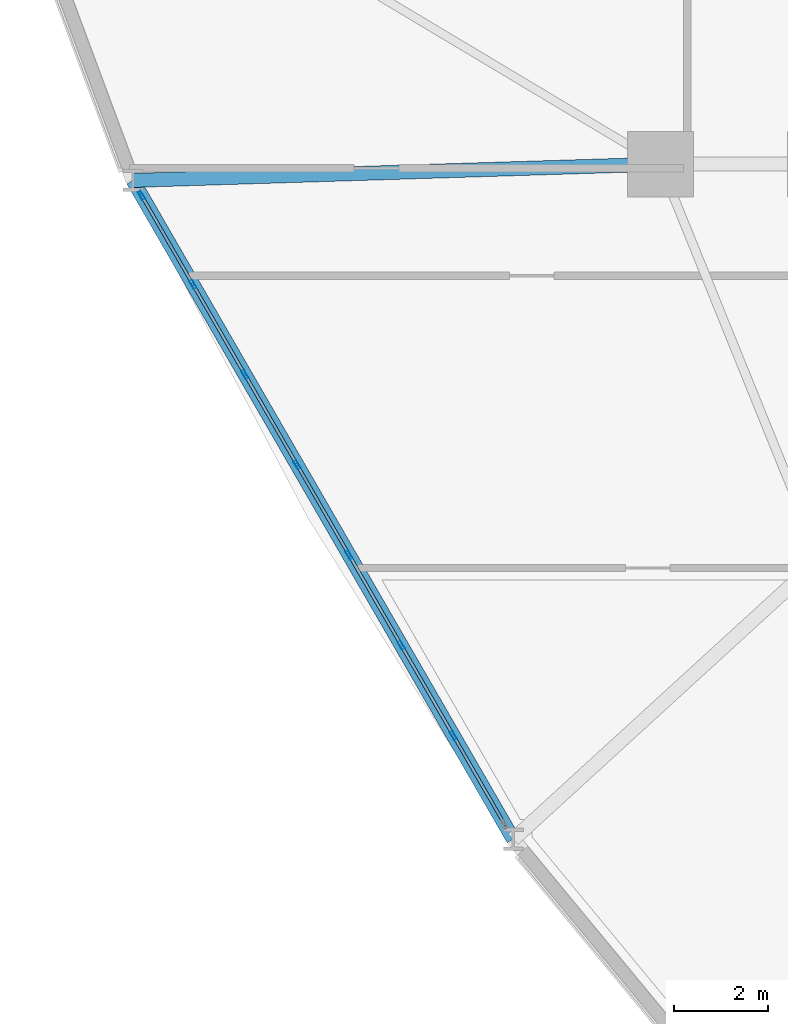
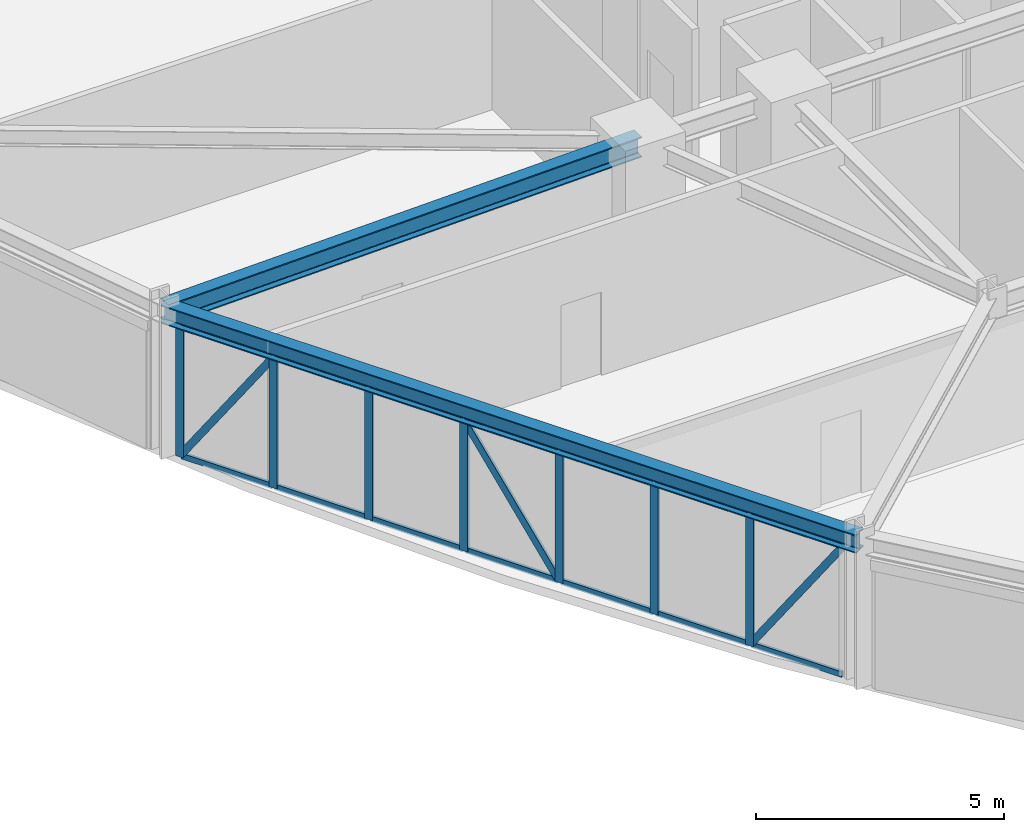
# One storey, part 4 of 21: 24 members, 2 beams, 1 element without a shape of its own.
"""IFC4 building model written with IfcOpenShell, lengths in metres."""

from ifc_helpers import new_model, si_unit, derived_unit, direction, frame, origin, origin_2d, place, context, subcontext, project, spatial, hollow_rectangle, i_section, extrude, source, transform, mapped, material, layer, layer_set, material_profile, profile_set, type_object, element, aggregate, save


model = new_model("IFC4")

# Units and contexts
model_context = context("Model", 3, precision=1e-05, world=origin(), true_north=direction((0.0, 1.0)))
body_context = subcontext(model_context, "Body", "Model", "MODEL_VIEW")
ifc_project = project(units=[si_unit("LENGTHUNIT", "METRE"), si_unit("AREAUNIT", "SQUARE_METRE"), si_unit("VOLUMEUNIT", "CUBIC_METRE"), si_unit("PLANEANGLEUNIT", "RADIAN"), si_unit("MASSUNIT", "GRAM", prefix="KILO"), derived_unit("THERMALTRANSMITTANCEUNIT", [(si_unit("POWERUNIT", "WATT"), 1), (si_unit("LENGTHUNIT", "METRE"), -2), (si_unit("THERMODYNAMICTEMPERATUREUNIT", "KELVIN"), -1)])], contexts=[model_context])

# Site, building, storey
site_placement = place(None, origin())
site = spatial("IfcSite", under=ifc_project, at=site_placement, CompositionType="ELEMENT")
building_placement = place(site_placement, origin())
building = spatial("IfcBuilding", under=site, at=building_placement, Name="Korsvarv Bourse and Concert Hall", CompositionType="ELEMENT")
storey_placement = place(building_placement, frame((0.0, 0.0, 27.89990234375)))
storey = spatial("IfcBuildingStorey", under=building, at=storey_placement, Name="L06", CompositionType="ELEMENT", Elevation=27.89990234375)

# Beams
ifc_material_1 = material(Name="Steel S355", Category="steel")
ifc_material_profile_1 = material_profile(ifc_material_1, i_section(OverallWidth=0.300048828125, OverallDepth=0.449951171875, WebThickness=0.013916015625, FlangeThickness=0.02587890625, FilletRadius=0.02099609375, at=origin_2d()), Name="HEB 450")
ifc_profile_set_1 = profile_set([ifc_material_profile_1], Name="Steel S355")
beam_type_1 = type_object("IfcBeamType", Name="BM-HEB450", PredefinedType="SPANDREL", material=ifc_profile_set_1)
shared_shape_1 = source(origin(), body_context, "Body", "SweptSolid", [
    extrude(i_section(OverallWidth=0.300048828125, OverallDepth=0.449951171875, WebThickness=0.013916015625, FlangeThickness=0.02587890625, FilletRadius=0.02099609375, at=origin_2d()), origin(), (0.0, 0.0, 1.0), 16.195068359375),
])
beam_1_placement = place(storey_placement, frame((12.970458984375, 32.05419921875, 3.455078125), z_axis=(0.499993009725, -0.866029439584, 0.0), x_axis=(0.866029439584, 0.499993009725, 0.0)))
element("IfcBeam", 1, at=beam_1_placement, inside=storey, type_object=beam_type_1, Name="L06 beam B-08", PredefinedType="SPANDREL", context=body_context, shape_type="MappedRepresentation", body=[
    mapped(shared_shape_1, transform((0.0, 0.0, 0.0), scale=1.0)),
])
ifc_material_profile_2 = material_profile(ifc_material_1, i_section(OverallWidth=0.300048828125, OverallDepth=0.5, WebThickness=0.014404296875, FlangeThickness=0.028076171875, FilletRadius=0.02392578125, at=origin_2d()), Name="HEB 500")
ifc_profile_set_2 = profile_set([ifc_material_profile_2], Name="Steel S355")
beam_type_2 = type_object("IfcBeamType", Name="BM-HEB500", PredefinedType="BEAM", material=ifc_profile_set_2)
shared_shape_2 = source(origin(), body_context, "Body", "SweptSolid", [
    extrude(i_section(OverallWidth=0.300048828125, OverallDepth=0.5, WebThickness=0.014404296875, FlangeThickness=0.028076171875, FilletRadius=0.02392578125, at=origin_2d()), origin(), (0.0, 0.0, 1.0), 11.23486328125),
])
beam_2_placement = place(storey_placement, frame((12.970458984375, 32.05419921875, 3.43017578125), z_axis=(0.999526469652, 0.03077070791, 0.0), x_axis=(-0.03077070791, 0.999526469652, 0.0)))
element("IfcBeam", 2, at=beam_2_placement, inside=storey, type_object=beam_type_2, Name="L06 beam B-07", PredefinedType="BEAM", context=body_context, shape_type="MappedRepresentation", body=[
    mapped(shared_shape_2, transform((0.0, 0.0, 0.0), scale=1.0)),
])

# Curtain wall, members
ifc_material_2 = material(Name="Anodised aluminium and triple low-E glazing", Category="glass")
ifc_layer = layer(ifc_material_2, 0.219970703125)
ifc_layer_set = layer_set([ifc_layer], Name="Anodised aluminium and triple low-E glazing")
curtain_wall_type = type_object("IfcCurtainWallType", Name="CW-SYS-1", PredefinedType="NOTDEFINED", material=ifc_layer_set)
curtain_wall_placement = place(storey_placement, origin())
curtain_wall = element("IfcCurtainWall", 3, at=curtain_wall_placement, inside=storey, type_object=curtain_wall_type, Name="L06 CW1 curtain wall CW-L06-F07", PredefinedType="NOTDEFINED")
ifc_material_3 = material(Name="Extruded aluminium EN AW-6063 T66", Category="aluminium")
ifc_material_profile_3 = material_profile(ifc_material_3, hollow_rectangle(XDim=0.070068359375, YDim=0.18994140625, WallThickness=0.0048828125, at=origin_2d()), Name="ALU-M 70x190")
ifc_profile_set_3 = profile_set([ifc_material_profile_3], Name="Extruded aluminium EN AW-6063 T66")
member_type_1 = type_object("IfcMemberType", Name="CWM-190", PredefinedType="MULLION", material=ifc_profile_set_3)
shared_shape_3 = source(origin(), body_context, "Body", "SweptSolid", [
    extrude(hollow_rectangle(XDim=0.070068359375, YDim=0.18994140625, WallThickness=0.0048828125, at=origin_2d()), origin(), (0.0, 0.0, 1.0), 3.22998046875),
])
member_1_placement = place(storey_placement, frame((13.15380859375, 31.73681640625, 0.0), z_axis=(0.0, 0.0, 1.0), x_axis=(0.866028517121, 0.499994607504, 0.0)))
member_1 = element("IfcMember", 4, at=member_1_placement, type_object=member_type_1, Name="CW1 mullion 1", PredefinedType="MULLION", context=body_context, shape_type="MappedRepresentation", body=[
    mapped(shared_shape_3, transform((0.0, 0.0, 0.0), scale=1.0)),
])
member_2_placement = place(storey_placement, frame((14.24560546875, 29.845458984375, 0.0), z_axis=(0.0, 0.0, 1.0), x_axis=(0.866028517121, 0.499994607504, 0.0)))
member_2 = element("IfcMember", 5, at=member_2_placement, type_object=member_type_1, Name="CW1 mullion 2", PredefinedType="MULLION", context=body_context, shape_type="MappedRepresentation", body=[
    mapped(shared_shape_3, transform((0.0, 0.0, 0.0), scale=1.0)),
])
member_3_placement = place(storey_placement, frame((15.35498046875, 27.923828125, 0.0), z_axis=(0.0, 0.0, 1.0), x_axis=(0.866028517121, 0.499994607504, 0.0)))
member_3 = element("IfcMember", 6, at=member_3_placement, type_object=member_type_1, Name="CW1 mullion 3", PredefinedType="MULLION", context=body_context, shape_type="MappedRepresentation", body=[
    mapped(shared_shape_3, transform((0.0, 0.0, 0.0), scale=1.0)),
])
member_4_placement = place(storey_placement, frame((16.464599609375, 26.002197265625, 0.0), z_axis=(0.0, 0.0, 1.0), x_axis=(0.866028517121, 0.499994607504, 0.0)))
member_4 = element("IfcMember", 7, at=member_4_placement, type_object=member_type_1, Name="CW1 mullion 4", PredefinedType="MULLION", context=body_context, shape_type="MappedRepresentation", body=[
    mapped(shared_shape_3, transform((0.0, 0.0, 0.0), scale=1.0)),
])
member_5_placement = place(storey_placement, frame((17.573974609375, 24.08056640625, 0.0), z_axis=(0.0, 0.0, 1.0), x_axis=(0.866028517121, 0.499994607504, 0.0)))
member_5 = element("IfcMember", 8, at=member_5_placement, type_object=member_type_1, Name="CW1 mullion 5", PredefinedType="MULLION", context=body_context, shape_type="MappedRepresentation", body=[
    mapped(shared_shape_3, transform((0.0, 0.0, 0.0), scale=1.0)),
])
member_6_placement = place(storey_placement, frame((18.683349609375, 22.158935546875, 0.0), z_axis=(0.0, 0.0, 1.0), x_axis=(0.866028517121, 0.499994607504, 0.0)))
member_6 = element("IfcMember", 9, at=member_6_placement, type_object=member_type_1, Name="CW1 mullion 6", PredefinedType="MULLION", context=body_context, shape_type="MappedRepresentation", body=[
    mapped(shared_shape_3, transform((0.0, 0.0, 0.0), scale=1.0)),
])
member_7_placement = place(storey_placement, frame((19.792724609375, 20.2373046875, 0.0), z_axis=(0.0, 0.0, 1.0), x_axis=(0.866028517121, 0.499994607504, 0.0)))
member_7 = element("IfcMember", 10, at=member_7_placement, type_object=member_type_1, Name="CW1 mullion 7", PredefinedType="MULLION", context=body_context, shape_type="MappedRepresentation", body=[
    mapped(shared_shape_3, transform((0.0, 0.0, 0.0), scale=1.0)),
])
ifc_material_profile_4 = material_profile(ifc_material_3, hollow_rectangle(XDim=0.06494140625, YDim=0.139892578125, WallThickness=0.00390625, at=origin_2d()), Name="ALU-T 65x140")
ifc_profile_set_4 = profile_set([ifc_material_profile_4], Name="Extruded aluminium EN AW-6063 T66")
member_type_2 = type_object("IfcMemberType", Name="CWT-140", PredefinedType="USERDEFINED", material=ifc_profile_set_4)
shared_shape_4 = source(origin(), body_context, "Body", "SweptSolid", [
    extrude(hollow_rectangle(XDim=0.06494140625, YDim=0.139892578125, WallThickness=0.00390625, at=origin_2d()), origin(), (0.0, 0.0, 1.0), 2.114013671875),
])
member_8_placement = place(storey_placement, frame((13.171142578125, 31.70654296875, 0.03271484375), z_axis=(0.499952388684, -0.866052890446, 0.0), x_axis=(0.866052890446, 0.499952388684, 0.0)))
member_8 = element("IfcMember", 11, at=member_8_placement, type_object=member_type_2, Name="CW1 transom 1.1", ObjectType="TRANSOM", PredefinedType="USERDEFINED", context=body_context, shape_type="MappedRepresentation", body=[
    mapped(shared_shape_4, transform((0.0, 0.0, 0.0), scale=1.0)),
])
member_9_placement = place(storey_placement, frame((13.171142578125, 31.70654296875, 3.197509765625), z_axis=(0.499952388684, -0.866052890446, 0.0), x_axis=(0.866052890446, 0.499952388684, 0.0)))
member_9 = element("IfcMember", 12, at=member_9_placement, type_object=member_type_2, Name="CW1 transom 1.2", ObjectType="TRANSOM", PredefinedType="USERDEFINED", context=body_context, shape_type="MappedRepresentation", body=[
    mapped(shared_shape_4, transform((0.0, 0.0, 0.0), scale=1.0)),
])
shared_shape_5 = source(origin(), body_context, "Body", "SweptSolid", [
    extrude(hollow_rectangle(XDim=0.06494140625, YDim=0.139892578125, WallThickness=0.00390625, at=origin_2d()), origin(), (0.0, 0.0, 1.0), 2.14892578125),
])
member_10_placement = place(storey_placement, frame((14.26318359375, 29.815185546875, 0.03271484375), z_axis=(0.499987977232, -0.866032345022, 0.0), x_axis=(0.866032345022, 0.499987977232, 0.0)))
member_10 = element("IfcMember", 13, at=member_10_placement, type_object=member_type_2, Name="CW1 transom 2.1", ObjectType="TRANSOM", PredefinedType="USERDEFINED", context=body_context, shape_type="MappedRepresentation", body=[
    mapped(shared_shape_5, transform((0.0, 0.0, 0.0), scale=1.0)),
])
member_11_placement = place(storey_placement, frame((14.26318359375, 29.815185546875, 3.197509765625), z_axis=(0.499987977232, -0.866032345022, 0.0), x_axis=(0.866032345022, 0.499987977232, 0.0)))
member_11 = element("IfcMember", 14, at=member_11_placement, type_object=member_type_2, Name="CW1 transom 2.2", ObjectType="TRANSOM", PredefinedType="USERDEFINED", context=body_context, shape_type="MappedRepresentation", body=[
    mapped(shared_shape_5, transform((0.0, 0.0, 0.0), scale=1.0)),
])
member_12_placement = place(storey_placement, frame((15.37255859375, 27.8935546875, 0.03271484375), z_axis=(0.499987977232, -0.866032345022, 0.0), x_axis=(0.866032345022, 0.499987977232, 0.0)))
member_12 = element("IfcMember", 15, at=member_12_placement, type_object=member_type_2, Name="CW1 transom 3.1", ObjectType="TRANSOM", PredefinedType="USERDEFINED", context=body_context, shape_type="MappedRepresentation", body=[
    mapped(shared_shape_5, transform((0.0, 0.0, 0.0), scale=1.0)),
])
member_13_placement = place(storey_placement, frame((15.37255859375, 27.8935546875, 3.197509765625), z_axis=(0.499987977232, -0.866032345022, 0.0), x_axis=(0.866032345022, 0.499987977232, 0.0)))
member_13 = element("IfcMember", 16, at=member_13_placement, type_object=member_type_2, Name="CW1 transom 3.2", ObjectType="TRANSOM", PredefinedType="USERDEFINED", context=body_context, shape_type="MappedRepresentation", body=[
    mapped(shared_shape_5, transform((0.0, 0.0, 0.0), scale=1.0)),
])
member_14_placement = place(storey_placement, frame((16.48193359375, 25.971923828125, 0.03271484375), z_axis=(0.499987977232, -0.866032345022, 0.0), x_axis=(0.866032345022, 0.499987977232, 0.0)))
member_14 = element("IfcMember", 17, at=member_14_placement, type_object=member_type_2, Name="CW1 transom 4.1", ObjectType="TRANSOM", PredefinedType="USERDEFINED", context=body_context, shape_type="MappedRepresentation", body=[
    mapped(shared_shape_5, transform((0.0, 0.0, 0.0), scale=1.0)),
])
member_15_placement = place(storey_placement, frame((16.48193359375, 25.971923828125, 3.197509765625), z_axis=(0.499987977232, -0.866032345022, 0.0), x_axis=(0.866032345022, 0.499987977232, 0.0)))
member_15 = element("IfcMember", 18, at=member_15_placement, type_object=member_type_2, Name="CW1 transom 4.2", ObjectType="TRANSOM", PredefinedType="USERDEFINED", context=body_context, shape_type="MappedRepresentation", body=[
    mapped(shared_shape_5, transform((0.0, 0.0, 0.0), scale=1.0)),
])
shared_shape_6 = source(origin(), body_context, "Body", "SweptSolid", [
    extrude(hollow_rectangle(XDim=0.06494140625, YDim=0.139892578125, WallThickness=0.00390625, at=origin_2d()), origin(), (0.0, 0.0, 1.0), 2.148681640625),
])
member_16_placement = place(storey_placement, frame((17.59130859375, 24.05029296875, 0.03271484375), z_axis=(0.500037174102, -0.866003940243, 0.0), x_axis=(0.866003940243, 0.500037174102, 0.0)))
member_16 = element("IfcMember", 19, at=member_16_placement, type_object=member_type_2, Name="CW1 transom 5.1", ObjectType="TRANSOM", PredefinedType="USERDEFINED", context=body_context, shape_type="MappedRepresentation", body=[
    mapped(shared_shape_6, transform((0.0, 0.0, 0.0), scale=1.0)),
])
member_17_placement = place(storey_placement, frame((17.59130859375, 24.05029296875, 3.197509765625), z_axis=(0.500037174102, -0.866003940243, 0.0), x_axis=(0.866003940243, 0.500037174102, 0.0)))
member_17 = element("IfcMember", 20, at=member_17_placement, type_object=member_type_2, Name="CW1 transom 5.2", ObjectType="TRANSOM", PredefinedType="USERDEFINED", context=body_context, shape_type="MappedRepresentation", body=[
    mapped(shared_shape_6, transform((0.0, 0.0, 0.0), scale=1.0)),
])
member_18_placement = place(storey_placement, frame((18.700927734375, 22.128662109375, 0.03271484375), z_axis=(0.500037174102, -0.866003940243, 0.0), x_axis=(0.866003940243, 0.500037174102, 0.0)))
member_18 = element("IfcMember", 21, at=member_18_placement, type_object=member_type_2, Name="CW1 transom 6.1", ObjectType="TRANSOM", PredefinedType="USERDEFINED", context=body_context, shape_type="MappedRepresentation", body=[
    mapped(shared_shape_6, transform((0.0, 0.0, 0.0), scale=1.0)),
])
member_19_placement = place(storey_placement, frame((18.700927734375, 22.128662109375, 3.197509765625), z_axis=(0.500037174102, -0.866003940243, 0.0), x_axis=(0.866003940243, 0.500037174102, 0.0)))
member_19 = element("IfcMember", 22, at=member_19_placement, type_object=member_type_2, Name="CW1 transom 6.2", ObjectType="TRANSOM", PredefinedType="USERDEFINED", context=body_context, shape_type="MappedRepresentation", body=[
    mapped(shared_shape_6, transform((0.0, 0.0, 0.0), scale=1.0)),
])
shared_shape_7 = source(origin(), body_context, "Body", "SweptSolid", [
    extrude(hollow_rectangle(XDim=0.06494140625, YDim=0.139892578125, WallThickness=0.00390625, at=origin_2d()), origin(), (0.0, 0.0, 1.0), 2.11376953125),
])
member_20_placement = place(storey_placement, frame((19.810302734375, 20.20703125, 0.03271484375), z_axis=(0.500002397932, -0.866024019333, 0.0), x_axis=(0.866024019333, 0.500002397932, 0.0)))
member_20 = element("IfcMember", 23, at=member_20_placement, type_object=member_type_2, Name="CW1 transom 7.1", ObjectType="TRANSOM", PredefinedType="USERDEFINED", context=body_context, shape_type="MappedRepresentation", body=[
    mapped(shared_shape_7, transform((0.0, 0.0, 0.0), scale=1.0)),
])
member_21_placement = place(storey_placement, frame((19.810302734375, 20.20703125, 3.197509765625), z_axis=(0.500002397932, -0.866024019333, 0.0), x_axis=(0.866024019333, 0.500002397932, 0.0)))
member_21 = element("IfcMember", 24, at=member_21_placement, type_object=member_type_2, Name="CW1 transom 7.2", ObjectType="TRANSOM", PredefinedType="USERDEFINED", context=body_context, shape_type="MappedRepresentation", body=[
    mapped(shared_shape_7, transform((0.0, 0.0, 0.0), scale=1.0)),
])
ifc_material_profile_5 = material_profile(ifc_material_3, hollow_rectangle(XDim=0.06494140625, YDim=0.1650390625, WallThickness=0.0048828125, at=origin_2d()), Name="ALU-M 65x165")
ifc_profile_set_5 = profile_set([ifc_material_profile_5], Name="Extruded aluminium EN AW-6063 T66")
member_type_3 = type_object("IfcMemberType", Name="CWM-165", PredefinedType="MULLION", material=ifc_profile_set_5)
shared_shape_8 = source(origin(), body_context, "Body", "SweptSolid", [
    extrude(hollow_rectangle(XDim=0.06494140625, YDim=0.1650390625, WallThickness=0.0048828125, at=origin_2d()), origin(), (0.0, 0.0, 1.0), 3.751953125),
])
member_22_placement = place(storey_placement, frame((13.171142578125, 31.70654296875, 0.065185546875), z_axis=(0.281681098172, -0.487947922197, 0.826173458879), x_axis=(0.866052890446, 0.499952388684, 0.0)))
member_22 = element("IfcMember", 25, at=member_22_placement, type_object=member_type_3, Name="CW1 diagonal mullion 1", PredefinedType="MULLION", context=body_context, shape_type="MappedRepresentation", body=[
    mapped(shared_shape_8, transform((0.0, 0.0, 0.0), scale=1.0)),
])
member_23_placement = place(storey_placement, frame((19.810302734375, 20.20703125, 0.065185546875), z_axis=(0.281690041373, -0.487898343779, 0.826199689378), x_axis=(0.866024019333, 0.500002397932, 0.0)))
member_23 = element("IfcMember", 26, at=member_23_placement, type_object=member_type_3, Name="CW1 diagonal mullion 7", PredefinedType="MULLION", context=body_context, shape_type="MappedRepresentation", body=[
    mapped(shared_shape_8, transform((0.0, 0.0, 0.0), scale=1.0)),
])
shared_shape_9 = source(origin(), body_context, "Body", "SweptSolid", [
    extrude(hollow_rectangle(XDim=0.06494140625, YDim=0.1650390625, WallThickness=0.0048828125, at=origin_2d()), origin(), (0.0, 0.0, 1.0), 3.77197265625),
])
member_24_placement = place(storey_placement, frame((17.556396484375, 24.11083984375, 0.065185546875), z_axis=(-0.28486019323, 0.493408146555, 0.821829100985), x_axis=(-0.866032345022, -0.499987977232, 0.0)))
member_24 = element("IfcMember", 27, at=member_24_placement, type_object=member_type_3, Name="CW1 diagonal mullion 4", PredefinedType="MULLION", context=body_context, shape_type="MappedRepresentation", body=[
    mapped(shared_shape_9, transform((0.0, 0.0, 0.0), scale=1.0)),
])
aggregate(curtain_wall, [member_1, member_2, member_3, member_4, member_5, member_6, member_7, member_8, member_9, member_22, member_10, member_11, member_12, member_13, member_14, member_15, member_24, member_16, member_17, member_18, member_19, member_20, member_21, member_23])

save(model, "model.ifc")
